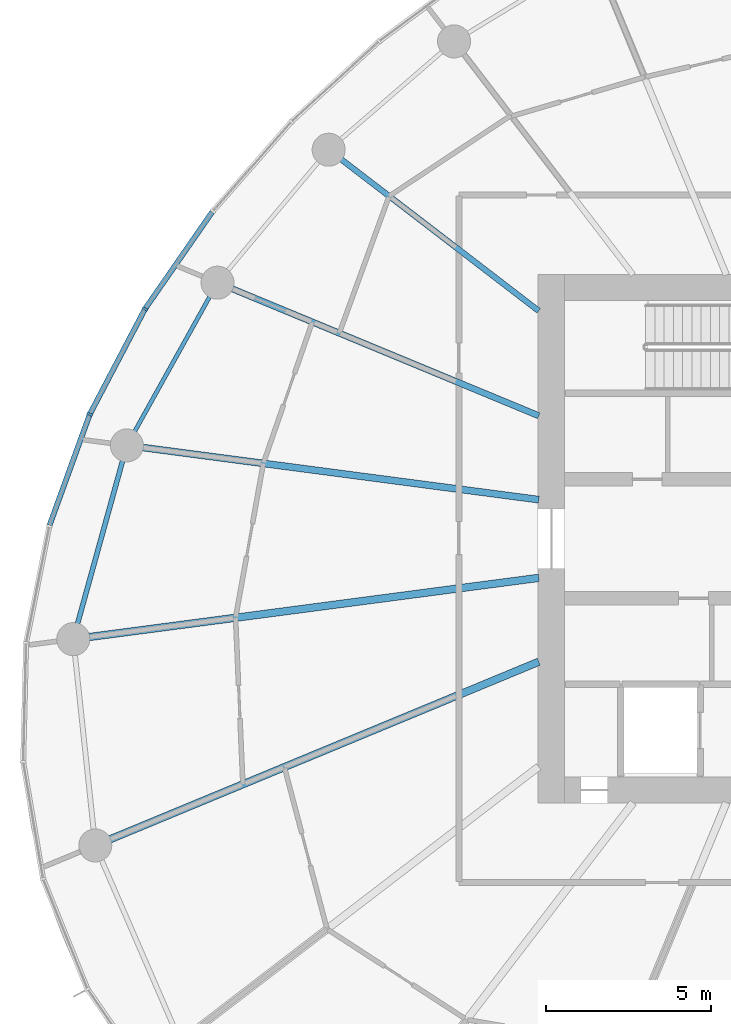
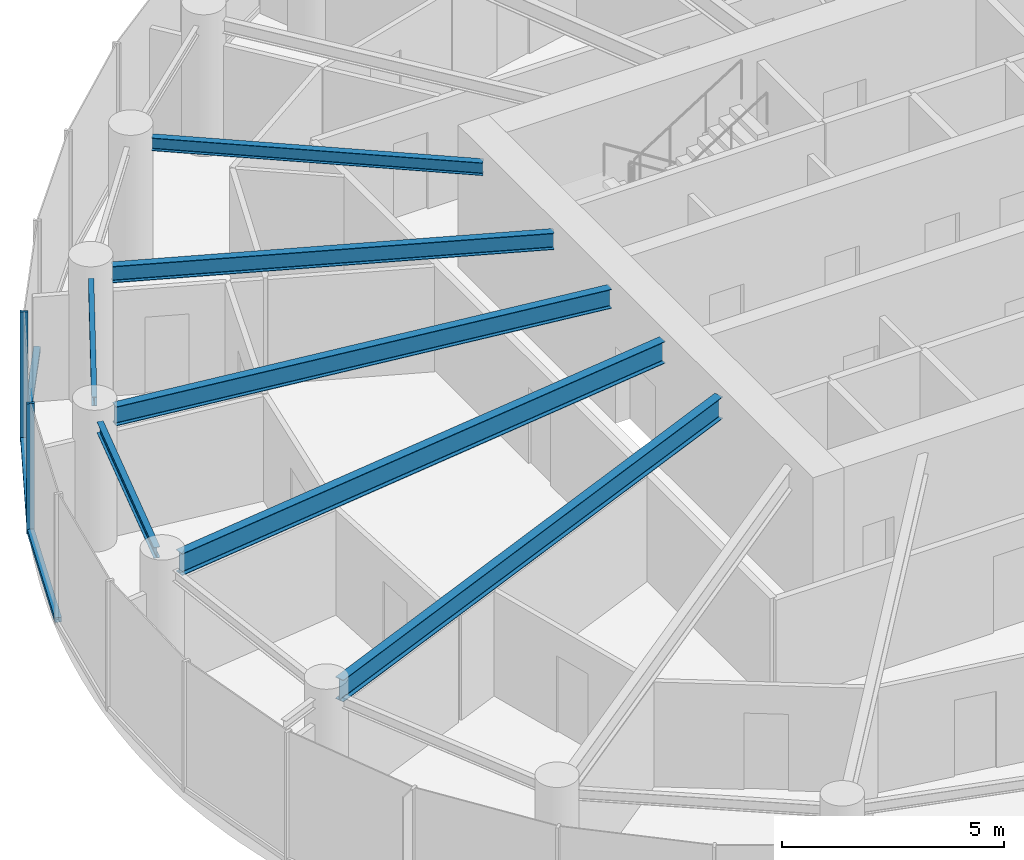
# One storey, part 3 of 15: 7 beams, 5 members, 1 element without a shape of its own.
"""IFC4 building model written with IfcOpenShell, lengths in metres."""

from ifc_helpers import new_model, si_unit, direction, frame, origin, origin_2d, place, context, subcontext, project, spatial, rectangle, i_section, extrude, source, transform, mapped, material, layer, layer_set, material_profile, profile_set, type_object, element, aggregate, save


model = new_model("IFC4")

# Units and contexts
model_context = context("Model", 3, precision=1e-05, world=origin(), true_north=direction((0.0, 1.0)))
body_context = subcontext(model_context, "Body", "Model", "MODEL_VIEW")
ifc_project = project(units=[si_unit("LENGTHUNIT", "METRE"), si_unit("AREAUNIT", "SQUARE_METRE"), si_unit("VOLUMEUNIT", "CUBIC_METRE"), si_unit("PLANEANGLEUNIT", "RADIAN"), si_unit("MASSUNIT", "GRAM", prefix="KILO")], contexts=[model_context])

# Site, building, storey
site_placement = place(None, origin())
site = spatial("IfcSite", under=ifc_project, at=site_placement, CompositionType="ELEMENT")
building_placement = place(site_placement, origin())
building = spatial("IfcBuilding", under=site, at=building_placement, Name="Spindrift Exchange Tower", CompositionType="ELEMENT")
storey_placement = place(building_placement, frame((0.0, 0.0, 172.10009765625)))
storey = spatial("IfcBuildingStorey", under=building, at=storey_placement, Name="L41", CompositionType="ELEMENT", Elevation=172.10009765625)

# Beams
ifc_material_1 = material(Name="Steel Grade 300", Category="steel")
ifc_material_profile_1 = material_profile(ifc_material_1, i_section(OverallWidth=0.1240234375, OverallDepth=0.248046875, WebThickness=0.0048828125, FlangeThickness=0.008056640625, FilletRadius=0.011962890625, at=origin_2d()), Name="250UB25.7")
ifc_profile_set_1 = profile_set([ifc_material_profile_1], Name="Steel Grade 300")
beam_type_1 = type_object("IfcBeamType", Name="Edge Beam 250UB25.7 Steel Grade 300", PredefinedType="SPANDREL", material=ifc_profile_set_1)
shared_shape_1 = source(origin(), body_context, "Body", "SweptSolid", [
    extrude(i_section(OverallWidth=0.1240234375, OverallDepth=0.248046875, WebThickness=0.0048828125, FlangeThickness=0.008056640625, FilletRadius=0.011962890625, at=origin_2d()), origin(), (0.0, 0.0, 1.0), 4.6748046875),
])
beam_1_placement = place(storey_placement, frame((33.067138671875, 55.326171875, 3.455810546875), z_axis=(-0.486587145143, -0.873632045075, 0.0), x_axis=(0.873632045075, -0.486587145143, 0.0)))
element("IfcBeam", 1, at=beam_1_placement, inside=storey, type_object=beam_type_1, Name="L41 edge beam E11", PredefinedType="SPANDREL", context=body_context, shape_type="MappedRepresentation", body=[
    mapped(shared_shape_1, transform((0.0, 0.0, 0.0), scale=1.0)),
])
ifc_material_profile_2 = material_profile(ifc_material_1, i_section(OverallWidth=0.14892578125, OverallDepth=0.298095703125, WebThickness=0.005615234375, FlangeThickness=0.008056640625, FilletRadius=0.012939453125, at=origin_2d()), Name="310UB32.0")
ifc_profile_set_2 = profile_set([ifc_material_profile_2], Name="Steel Grade 300")
beam_type_2 = type_object("IfcBeamType", Name="Edge Beam 310UB32.0 Steel Grade 300", PredefinedType="SPANDREL", material=ifc_profile_set_2)
shared_shape_2 = source(origin(), body_context, "Body", "SweptSolid", [
    extrude(i_section(OverallWidth=0.14892578125, OverallDepth=0.298095703125, WebThickness=0.005615234375, FlangeThickness=0.008056640625, FilletRadius=0.012939453125, at=origin_2d()), origin(), (0.0, 0.0, 1.0), 5.118896484375),
])
beam_2_placement = place(storey_placement, frame((30.430908203125, 50.360107421875, 3.430908203125), z_axis=(-0.266654866605, -0.963792084485, 0.0), x_axis=(0.963792084485, -0.266654866605, 0.0)))
element("IfcBeam", 2, at=beam_2_placement, inside=storey, type_object=beam_type_2, Name="L41 edge beam E12", PredefinedType="SPANDREL", context=body_context, shape_type="MappedRepresentation", body=[
    mapped(shared_shape_2, transform((0.0, 0.0, 0.0), scale=1.0)),
])
ifc_material_profile_3 = material_profile(ifc_material_1, i_section(OverallWidth=0.22802734375, OverallDepth=0.60205078125, WebThickness=0.010498046875, FlangeThickness=0.014892578125, FilletRadius=0.013916015625, at=origin_2d()), Name="610UB101")
ifc_profile_set_3 = profile_set([ifc_material_profile_3], Name="Steel Grade 300")
beam_type_3 = type_object("IfcBeamType", Name="Floor Beam 610UB101 Steel Grade 300", PredefinedType="BEAM", material=ifc_profile_set_3)
shared_shape_3 = source(origin(), body_context, "Body", "SweptSolid", [
    extrude(i_section(OverallWidth=0.22802734375, OverallDepth=0.60205078125, WebThickness=0.010498046875, FlangeThickness=0.014892578125, FilletRadius=0.013916015625, at=origin_2d()), origin(), (0.0, 0.0, 1.0), 13.723388671875),
])
beam_3_placement = place(storey_placement, frame((43.019775390625, 46.817626953125, 3.27880859375), z_axis=(-0.991447148915, -0.13050881544, 0.0), x_axis=(0.13050881544, -0.991447148915, 0.0)))
element("IfcBeam", 3, at=beam_3_placement, inside=storey, type_object=beam_type_3, Name="L41 radial beam R13A", PredefinedType="BEAM", context=body_context, shape_type="MappedRepresentation", body=[
    mapped(shared_shape_3, transform((0.0, 0.0, 0.0), scale=1.0)),
])
shared_shape_4 = source(origin(), body_context, "Body", "SweptSolid", [
    extrude(i_section(OverallWidth=0.22802734375, OverallDepth=0.60205078125, WebThickness=0.010498046875, FlangeThickness=0.014892578125, FilletRadius=0.013916015625, at=origin_2d()), origin(), (0.0, 0.0, 1.0), 14.04052734375),
])
beam_4_placement = place(storey_placement, frame((43.0185546875, 44.27978515625, 3.27880859375), z_axis=(-0.923879501748, -0.382683506634, 0.0), x_axis=(0.382683506634, -0.923879501748, 0.0)))
element("IfcBeam", 4, at=beam_4_placement, inside=storey, type_object=beam_type_3, Name="L41 radial beam R14A", PredefinedType="BEAM", context=body_context, shape_type="MappedRepresentation", body=[
    mapped(shared_shape_4, transform((0.0, 0.0, 0.0), scale=1.0)),
])
ifc_material_profile_4 = material_profile(ifc_material_1, i_section(OverallWidth=0.1708984375, OverallDepth=0.35205078125, WebThickness=0.0068359375, FlangeThickness=0.009765625, FilletRadius=0.013916015625, at=origin_2d()), Name="360UB44.7")
ifc_profile_set_4 = profile_set([ifc_material_profile_4], Name="Steel Grade 300")
beam_type_4 = type_object("IfcBeamType", Name="Floor Beam 360UB44.7 Steel Grade 300", PredefinedType="BEAM", material=ifc_profile_set_4)
shared_shape_5 = source(origin(), body_context, "Body", "SweptSolid", [
    extrude(i_section(OverallWidth=0.1708984375, OverallDepth=0.35205078125, WebThickness=0.0068359375, FlangeThickness=0.009765625, FilletRadius=0.013916015625, at=origin_2d()), origin(), (0.0, 0.0, 1.0), 7.52685546875),
])
beam_5_placement = place(storey_placement, frame((43.015869140625, 54.893798828125, 3.40380859375), z_axis=(-0.793354136078, 0.608760391918, 0.0), x_axis=(-0.608760391918, -0.793354136078, 0.0)))
element("IfcBeam", 5, at=beam_5_placement, inside=storey, type_object=beam_type_4, Name="L41 radial beam R10A", PredefinedType="BEAM", context=body_context, shape_type="MappedRepresentation", body=[
    mapped(shared_shape_5, transform((0.0, 0.0, 0.0), scale=1.0)),
])
ifc_material_profile_5 = material_profile(ifc_material_1, i_section(OverallWidth=0.18994140625, OverallDepth=0.4541015625, WebThickness=0.008544921875, FlangeThickness=0.0126953125, FilletRadius=0.013916015625, at=origin_2d()), Name="460UB67.1")
ifc_profile_set_5 = profile_set([ifc_material_profile_5], Name="Steel Grade 300")
beam_type_5 = type_object("IfcBeamType", Name="Floor Beam 460UB67.1 Steel Grade 300", PredefinedType="BEAM", material=ifc_profile_set_5)
shared_shape_6 = source(origin(), body_context, "Body", "SweptSolid", [
    extrude(i_section(OverallWidth=0.18994140625, OverallDepth=0.4541015625, WebThickness=0.008544921875, FlangeThickness=0.0126953125, FilletRadius=0.013916015625, at=origin_2d()), origin(), (0.0, 0.0, 1.0), 10.03857421875),
])
beam_6_placement = place(storey_placement, frame((43.0185546875, 51.72021484375, 3.352783203125), z_axis=(-0.923880777638, 0.382680426349, 0.0), x_axis=(-0.382680426349, -0.923880777638, 0.0)))
element("IfcBeam", 6, at=beam_6_placement, inside=storey, type_object=beam_type_5, Name="L41 radial beam R11A", PredefinedType="BEAM", context=body_context, shape_type="MappedRepresentation", body=[
    mapped(shared_shape_6, transform((0.0, 0.0, 0.0), scale=1.0)),
])
ifc_material_profile_6 = material_profile(ifc_material_1, i_section(OverallWidth=0.208984375, OverallDepth=0.528076171875, WebThickness=0.009521484375, FlangeThickness=0.01318359375, FilletRadius=0.013916015625, at=origin_2d()), Name="530UB82.0")
ifc_profile_set_6 = profile_set([ifc_material_profile_6], Name="Steel Grade 300")
beam_type_6 = type_object("IfcBeamType", Name="Floor Beam 530UB82.0 Steel Grade 300", PredefinedType="BEAM", material=ifc_profile_set_6)
shared_shape_7 = source(origin(), body_context, "Body", "SweptSolid", [
    extrude(i_section(OverallWidth=0.208984375, OverallDepth=0.528076171875, WebThickness=0.009521484375, FlangeThickness=0.01318359375, FilletRadius=0.013916015625, at=origin_2d()), origin(), (0.0, 0.0, 1.0), 12.088134765625),
])
beam_7_placement = place(storey_placement, frame((43.019775390625, 49.182373046875, 3.31591796875), z_axis=(-0.991447007302, 0.130509891244, 0.0), x_axis=(-0.130509891244, -0.991447007302, 0.0)))
element("IfcBeam", 7, at=beam_7_placement, inside=storey, type_object=beam_type_6, Name="L41 radial beam R12A", PredefinedType="BEAM", context=body_context, shape_type="MappedRepresentation", body=[
    mapped(shared_shape_7, transform((0.0, 0.0, 0.0), scale=1.0)),
])

# Curtain wall, members
ifc_material_2 = material(Name="Fritted laminated glass with bronze frame", Category="glass")
ifc_layer = layer(ifc_material_2, 0.179931640625)
ifc_layer_set = layer_set([ifc_layer], Name="ZONE 3 BRONZE FRITTED WALL")
curtain_wall_type = type_object("IfcCurtainWallType", Name="ZONE 3 BRONZE FRITTED WALL", PredefinedType="NOTDEFINED", material=ifc_layer_set)
curtain_wall_placement = place(storey_placement, origin())
curtain_wall = element("IfcCurtainWall", 8, at=curtain_wall_placement, inside=storey, type_object=curtain_wall_type, Name="L41 Zone 3 Bronze Fritted Wall run 3", PredefinedType="NOTDEFINED")
ifc_material_3 = material(Name="Bronze anodised aluminium", Category="aluminium")
ifc_material_profile_7 = material_profile(ifc_material_3, rectangle(XDim=0.070068359375, YDim=0.179931640625, at=origin_2d()), Name="ZONE 3 BRONZE FRITTED WALL MULLION 70X180")
ifc_profile_set_7 = profile_set([ifc_material_profile_7], Name="Bronze anodised aluminium")
member_type_1 = type_object("IfcMemberType", Name="ZONE 3 BRONZE FRITTED WALL MULLION 70X180", PredefinedType="MULLION", material=ifc_profile_set_7)
shared_shape_8 = source(origin(), body_context, "Body", "SweptSolid", [
    extrude(rectangle(XDim=0.070068359375, YDim=0.179931640625, at=origin_2d()), origin(), (0.0, 0.0, 1.0), 3.579833984375),
])
member_1_placement = place(storey_placement, frame((31.107421875, 54.952880859375, 0.0), z_axis=(0.0, 0.0, 1.0), x_axis=(-0.517955028022, -0.855407849477, 0.0)))
member_1 = element("IfcMember", 9, at=member_1_placement, type_object=member_type_1, Name="L41 mullion CW-3.15", PredefinedType="MULLION", context=body_context, shape_type="MappedRepresentation", body=[
    mapped(shared_shape_8, transform((0.0, 0.0, 0.0), scale=1.0)),
])
member_2_placement = place(storey_placement, frame((29.435791015625, 51.764404296875, 0.0), z_axis=(0.0, 0.0, 1.0), x_axis=(-0.403428274664, -0.915011271625, 0.0)))
member_2 = element("IfcMember", 10, at=member_2_placement, type_object=member_type_1, Name="L41 mullion CW-3.16", PredefinedType="MULLION", context=body_context, shape_type="MappedRepresentation", body=[
    mapped(shared_shape_8, transform((0.0, 0.0, 0.0), scale=1.0)),
])
ifc_material_profile_8 = material_profile(ifc_material_3, rectangle(XDim=0.159912109375, YDim=0.1298828125, at=origin_2d()), Name="ZONE 3 BRONZE FRITTED WALL TRANSOM 160X130")
ifc_profile_set_8 = profile_set([ifc_material_profile_8], Name="Bronze anodised aluminium")
member_type_2 = type_object("IfcMemberType", Name="ZONE 3 BRONZE FRITTED WALL TRANSOM 160X130", PredefinedType="USERDEFINED", material=ifc_profile_set_8)
shared_shape_9 = source(origin(), body_context, "Body", "SweptSolid", [
    extrude(rectangle(XDim=0.159912109375, YDim=0.1298828125, at=origin_2d()), origin(), (0.0, 0.0, 1.0), 3.530517578125),
])
member_3_placement = place(storey_placement, frame((33.13818359375, 57.883544921875, 0.06494140625), z_axis=(-0.569547952872, -0.821958106828, 0.0), x_axis=(0.821958106828, -0.569547952872, 0.0)))
member_3 = element("IfcMember", 11, at=member_3_placement, type_object=member_type_2, Name="L41 transom CW-3.14", ObjectType="TRANSOM", PredefinedType="USERDEFINED", context=body_context, shape_type="MappedRepresentation", body=[
    mapped(shared_shape_9, transform((0.0, 0.0, 0.0), scale=1.0)),
])
shared_shape_10 = source(origin(), body_context, "Body", "SweptSolid", [
    extrude(rectangle(XDim=0.159912109375, YDim=0.1298828125, at=origin_2d()), origin(), (0.0, 0.0, 1.0), 3.530029296875),
])
member_4_placement = place(storey_placement, frame((31.091064453125, 54.921875, 0.06494140625), z_axis=(-0.464337747163, -0.885658205268, 0.0), x_axis=(0.885658205268, -0.464337747163, 0.0)))
member_4 = element("IfcMember", 12, at=member_4_placement, type_object=member_type_2, Name="L41 transom CW-3.15", ObjectType="TRANSOM", PredefinedType="USERDEFINED", context=body_context, shape_type="MappedRepresentation", body=[
    mapped(shared_shape_10, transform((0.0, 0.0, 0.0), scale=1.0)),
])
shared_shape_11 = source(origin(), body_context, "Body", "SweptSolid", [
    extrude(rectangle(XDim=0.159912109375, YDim=0.1298828125, at=origin_2d()), origin(), (0.0, 0.0, 1.0), 3.52978515625),
])
member_5_placement = place(storey_placement, frame((29.423828125, 51.731689453125, 0.06494140625), z_axis=(-0.34064877705, -0.940190624658, 0.0), x_axis=(0.940190624658, -0.34064877705, 0.0)))
member_5 = element("IfcMember", 13, at=member_5_placement, type_object=member_type_2, Name="L41 transom CW-3.16", ObjectType="TRANSOM", PredefinedType="USERDEFINED", context=body_context, shape_type="MappedRepresentation", body=[
    mapped(shared_shape_11, transform((0.0, 0.0, 0.0), scale=1.0)),
])
aggregate(curtain_wall, [member_3, member_1, member_4, member_2, member_5])

save(model, "model.ifc")
